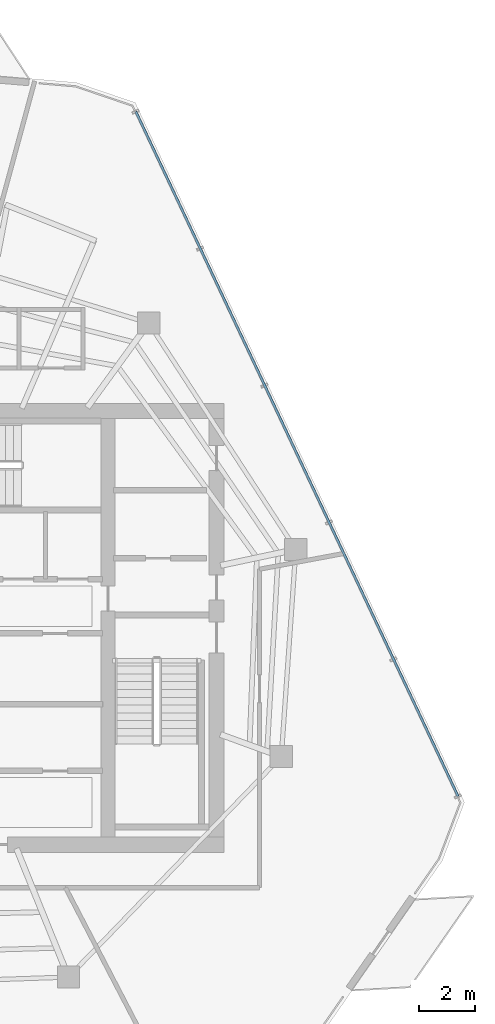
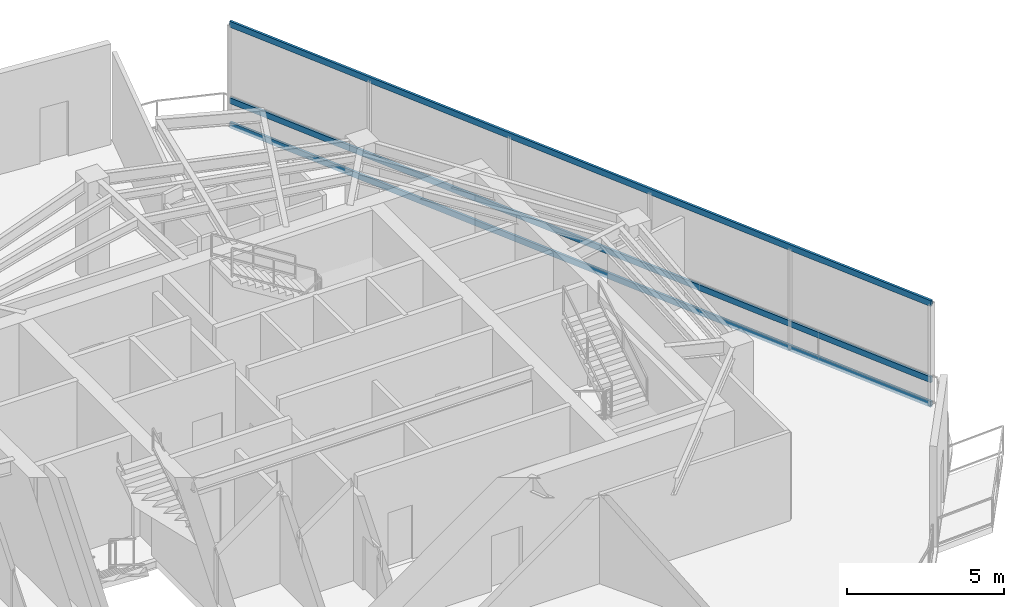
# One storey, part 12 of 19: 3 members, 1 element without a shape of its own.
"""IFC4 building model written with IfcOpenShell, lengths in metres."""

from ifc_helpers import new_model, si_unit, direction, frame, origin, origin_2d, place, context, subcontext, project, spatial, hollow_rectangle, extrude, material, layer, layer_set, material_profile, profile_set, type_object, element, aggregate, save


model = new_model("IFC4")

# Units and contexts
model_context = context("Model", 3, precision=1e-05, world=origin(), true_north=direction((0.0, 1.0)))
body_context = subcontext(model_context, "Body", "Model", "MODEL_VIEW")
ifc_project = project(units=[si_unit("LENGTHUNIT", "METRE"), si_unit("AREAUNIT", "SQUARE_METRE"), si_unit("VOLUMEUNIT", "CUBIC_METRE"), si_unit("PLANEANGLEUNIT", "RADIAN"), si_unit("MASSUNIT", "GRAM", prefix="KILO")], contexts=[model_context])

# Site, building, storey
site_placement = place(None, origin())
site = spatial("IfcSite", under=ifc_project, at=site_placement, CompositionType="ELEMENT")
building_placement = place(site_placement, origin())
building = spatial("IfcBuilding", under=site, at=building_placement, Name="Qarnah Convention Tower", CompositionType="ELEMENT")
storey_placement = place(building_placement, frame((0.0, 0.0, 275.10009765625)))
storey = spatial("IfcBuildingStorey", under=building, at=storey_placement, Name="L74", CompositionType="ELEMENT", Elevation=275.10009765625)

# Curtain wall, members
ifc_material_1 = material(Name="Tempered Low-E dark glass", Category="glass")
ifc_layer = layer(ifc_material_1, 0.177978515625)
ifc_layer_set = layer_set([ifc_layer], Name="Tempered Low-E dark glass")
curtain_wall_type = type_object("IfcCurtainWallType", Name="CWS-06", PredefinedType="NOTDEFINED", material=ifc_layer_set)
curtain_wall_placement = place(storey_placement, origin())
curtain_wall = element("IfcCurtainWall", 1, at=curtain_wall_placement, inside=storey, type_object=curtain_wall_type, Name="L74 unitised curtain wall CW-L74-F1", PredefinedType="NOTDEFINED")
ifc_material_2 = material(Name="Black anodised aluminium", Category="aluminium")
ifc_material_profile = material_profile(ifc_material_2, hollow_rectangle(XDim=0.0849609375, YDim=0.22998046875, WallThickness=0.006103515625, at=origin_2d()), Name="TRN-85X230")
ifc_profile_set = profile_set([ifc_material_profile], Name="Black anodised aluminium")
member_type = type_object("IfcMemberType", Name="TRN-T6", PredefinedType="USERDEFINED", material=ifc_profile_set)
member_1_placement = place(storey_placement, frame((44.697021484375, 44.968994140625, 0.0), z_axis=(0.425797468277, -0.904818498932, 0.0), x_axis=(0.904818498932, 0.425797468277, 0.0)))
member_1 = element("IfcMember", 2, at=member_1_placement, type_object=member_type, Name="CW-L74-F1 transom 1", ObjectType="TRANSOM", PredefinedType="USERDEFINED", context=body_context, shape_type="SweptSolid", body=[
    extrude(hollow_rectangle(XDim=0.0849609375, YDim=0.22998046875, WallThickness=0.006103515625, at=origin_2d()), origin(), (0.0, 0.0, 1.0), 27.2197265625),
])
member_2_placement = place(storey_placement, frame((44.697021484375, 44.968994140625, 0.949951171875), z_axis=(0.425797468277, -0.904818498932, 0.0), x_axis=(0.904818498932, 0.425797468277, 0.0)))
member_2 = element("IfcMember", 3, at=member_2_placement, type_object=member_type, Name="CW-L74-F1 transom 2", ObjectType="TRANSOM", PredefinedType="USERDEFINED", context=body_context, shape_type="SweptSolid", body=[
    extrude(hollow_rectangle(XDim=0.0849609375, YDim=0.22998046875, WallThickness=0.006103515625, at=origin_2d()), origin(), (0.0, 0.0, 1.0), 27.2197265625),
])
member_3_placement = place(storey_placement, frame((44.697021484375, 44.968994140625, 3.919921875), z_axis=(0.425797468277, -0.904818498932, 0.0), x_axis=(0.904818498932, 0.425797468277, 0.0)))
member_3 = element("IfcMember", 4, at=member_3_placement, type_object=member_type, Name="CW-L74-F1 transom 3", ObjectType="TRANSOM", PredefinedType="USERDEFINED", context=body_context, shape_type="SweptSolid", body=[
    extrude(hollow_rectangle(XDim=0.0849609375, YDim=0.22998046875, WallThickness=0.006103515625, at=origin_2d()), origin(), (0.0, 0.0, 1.0), 27.2197265625),
])
aggregate(curtain_wall, [member_1, member_2, member_3])

save(model, "model.ifc")
